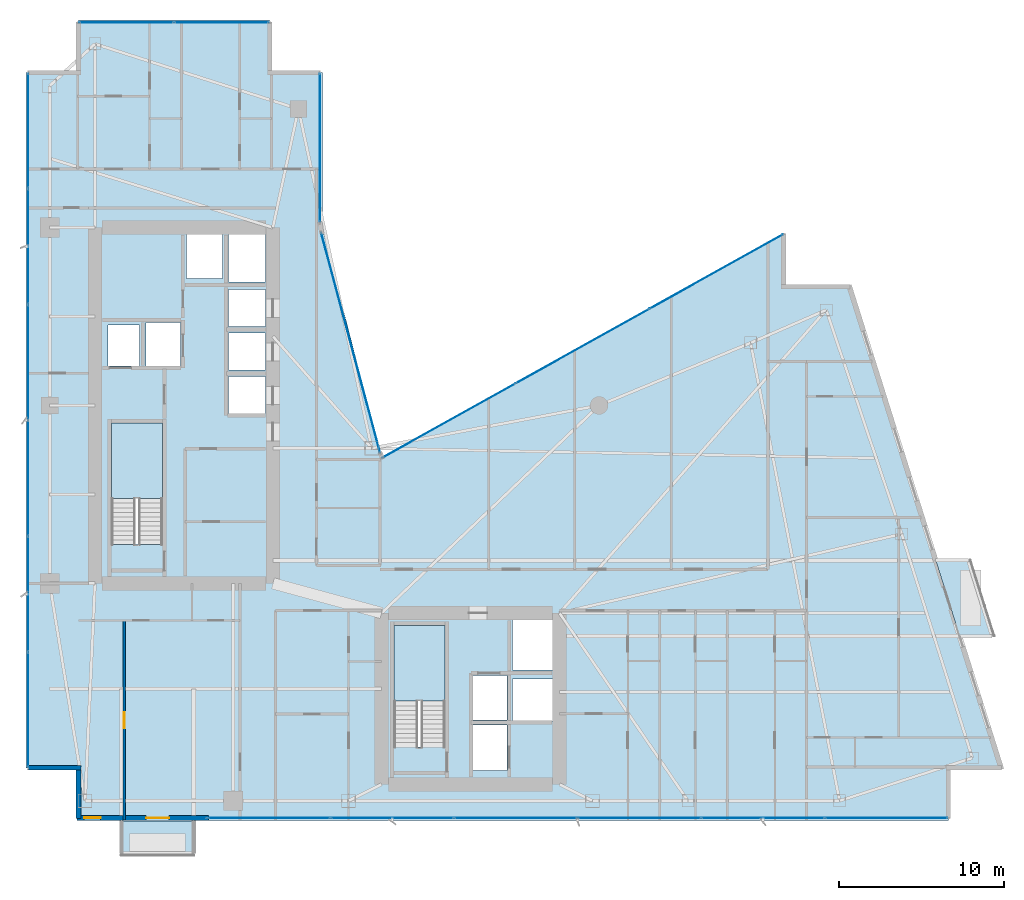
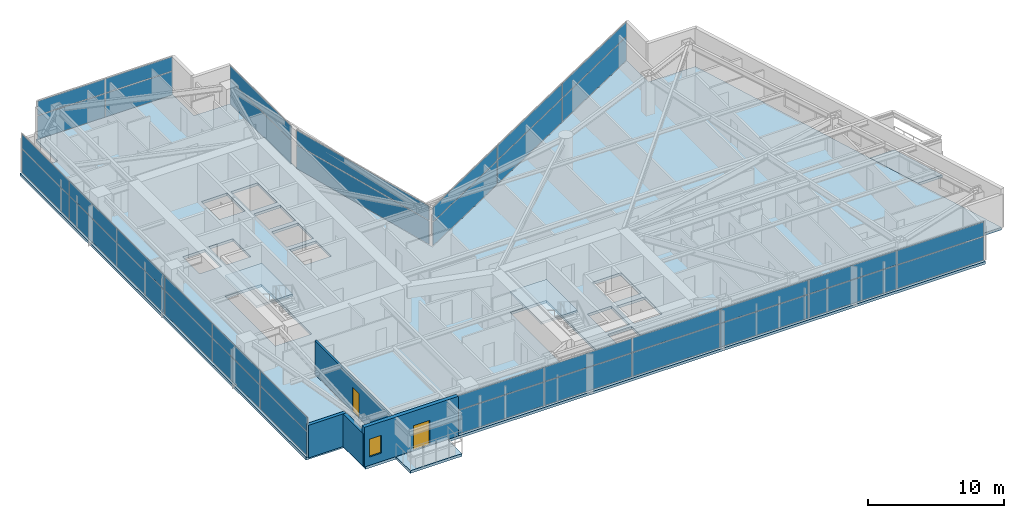
# One storey, part 21 of 29: 38 plates, 5 slabs, 4 walls, 2 doors, 1 window, 3 openings, 8 elements without a shape of their own.
"""IFC4 building model written with IfcOpenShell, lengths in metres."""

from ifc_helpers import new_model, si_unit, direction, frame, frame_2d, origin, origin_2d, place, context, subcontext, project, spatial, polyline, rectangle, outline, extrude, material, layer, layer_set, type_object, element, fill, aggregate, save


model = new_model("IFC4")

# Units and contexts
model_context = context("Model", 3, precision=1e-05, world=origin(), true_north=direction((0.0, 1.0)))
body_context = subcontext(model_context, "Body", "Model", "MODEL_VIEW")
ifc_project = project(units=[si_unit("LENGTHUNIT", "METRE"), si_unit("AREAUNIT", "SQUARE_METRE"), si_unit("VOLUMEUNIT", "CUBIC_METRE"), si_unit("PLANEANGLEUNIT", "RADIAN"), si_unit("MASSUNIT", "GRAM", prefix="KILO")], contexts=[model_context])

# Site, building, storey
site_placement = place(None, origin())
site = spatial("IfcSite", under=ifc_project, at=site_placement, CompositionType="ELEMENT")
building_placement = place(site_placement, origin())
building = spatial("IfcBuilding", under=site, at=building_placement, Name="Calvorn Quay Hotel", CompositionType="ELEMENT")
storey_placement = place(building_placement, frame((0.0, 0.0, 175.10009765625)))
storey = spatial("IfcBuildingStorey", under=building, at=storey_placement, Name="L43", CompositionType="ELEMENT", Elevation=175.10009765625)

# Curtain wall, plates
ifc_material_1 = material(Name="Pale Anodised Aluminium and Low-E Glass", Category="aluminium")
ifc_layer_1 = layer(ifc_material_1, 0.219970703125)
ifc_layer_set_1 = layer_set([ifc_layer_1], Name="CW-SYS-Z2")
curtain_wall_type = type_object("IfcCurtainWallType", Name="CW-SYS-Z2", PredefinedType="NOTDEFINED", material=ifc_layer_set_1)
curtain_wall_1_placement = place(storey_placement, origin())
curtain_wall_1 = element("IfcCurtainWall", 1, at=curtain_wall_1_placement, inside=storey, type_object=curtain_wall_type, Name="Tower West Curtain Wall (L43)", PredefinedType="NOTDEFINED")
ifc_material_2 = material(Name="Low-E Laminated Double Glazing", Category="glass")
ifc_layer_2 = layer(ifc_material_2, 0.028076171875)
ifc_layer_set_2 = layer_set([ifc_layer_2], Name="CW-SYS-Z2-PAN")
plate_type = type_object("IfcPlateType", Name="CW-SYS-Z2-PAN", PredefinedType="CURTAIN_PANEL", material=ifc_layer_set_2)
plate_1_placement = place(storey_placement, frame((0.14990234375, 9.131591796875, 0.06005859375), z_axis=(0.0, 0.0, 1.0), x_axis=(0.0, 1.0, 0.0)))
plate_1 = element("IfcPlate", 2, at=plate_1_placement, type_object=plate_type, Name="CW-L43-W panel 1.1", PredefinedType="CURTAIN_PANEL", context=body_context, shape_type="SweptSolid", body=[
    extrude(rectangle(XDim=6.943359375, YDim=0.028076171875, at=origin_2d()), origin(), (0.0, 0.0, 1.0), 2.110107421875),
])
plate_2_placement = place(storey_placement, frame((0.14990234375, 9.131591796875, 2.22998046875), z_axis=(0.0, 0.0, 1.0), x_axis=(0.0, 1.0, 0.0)))
plate_2 = element("IfcPlate", 3, at=plate_2_placement, type_object=plate_type, Name="CW-L43-W panel 1.2", PredefinedType="CURTAIN_PANEL", context=body_context, shape_type="SweptSolid", body=[
    extrude(rectangle(XDim=6.943359375, YDim=0.028076171875, at=origin_2d()), origin(), (0.0, 0.0, 1.0), 1.27001953125),
])
plate_3_placement = place(storey_placement, frame((0.14990234375, 16.14990234375, 0.06005859375), z_axis=(0.0, 0.0, 1.0), x_axis=(0.0, 1.0, 0.0)))
plate_3 = element("IfcPlate", 4, at=plate_3_placement, type_object=plate_type, Name="CW-L43-W panel 2.1", PredefinedType="CURTAIN_PANEL", context=body_context, shape_type="SweptSolid", body=[
    extrude(rectangle(XDim=6.973388671875, YDim=0.028076171875, at=origin_2d()), origin(), (0.0, 0.0, 1.0), 2.110107421875),
])
plate_4_placement = place(storey_placement, frame((0.14990234375, 16.14990234375, 2.22998046875), z_axis=(0.0, 0.0, 1.0), x_axis=(0.0, 1.0, 0.0)))
plate_4 = element("IfcPlate", 5, at=plate_4_placement, type_object=plate_type, Name="CW-L43-W panel 2.2", PredefinedType="CURTAIN_PANEL", context=body_context, shape_type="SweptSolid", body=[
    extrude(rectangle(XDim=6.973388671875, YDim=0.028076171875, at=origin_2d()), origin(), (0.0, 0.0, 1.0), 1.27001953125),
])
plate_5_placement = place(storey_placement, frame((0.14990234375, 23.183349609375, 0.06005859375), z_axis=(0.0, 0.0, 1.0), x_axis=(0.0, 1.0, 0.0)))
plate_5 = element("IfcPlate", 6, at=plate_5_placement, type_object=plate_type, Name="CW-L43-W panel 3.1", PredefinedType="CURTAIN_PANEL", context=body_context, shape_type="SweptSolid", body=[
    extrude(rectangle(XDim=6.973388671875, YDim=0.028076171875, at=origin_2d()), origin(), (0.0, 0.0, 1.0), 2.110107421875),
])
plate_6_placement = place(storey_placement, frame((0.14990234375, 23.183349609375, 2.22998046875), z_axis=(0.0, 0.0, 1.0), x_axis=(0.0, 1.0, 0.0)))
plate_6 = element("IfcPlate", 7, at=plate_6_placement, type_object=plate_type, Name="CW-L43-W panel 3.2", PredefinedType="CURTAIN_PANEL", context=body_context, shape_type="SweptSolid", body=[
    extrude(rectangle(XDim=6.973388671875, YDim=0.028076171875, at=origin_2d()), origin(), (0.0, 0.0, 1.0), 1.27001953125),
])
plate_7_placement = place(storey_placement, frame((0.14990234375, 30.216552734375, 0.06005859375), z_axis=(0.0, 0.0, 1.0), x_axis=(0.0, 1.0, 0.0)))
plate_7 = element("IfcPlate", 8, at=plate_7_placement, type_object=plate_type, Name="CW-L43-W panel 4.1", PredefinedType="CURTAIN_PANEL", context=body_context, shape_type="SweptSolid", body=[
    extrude(rectangle(XDim=6.973388671875, YDim=0.028076171875, at=origin_2d()), origin(), (0.0, 0.0, 1.0), 2.110107421875),
])
plate_8_placement = place(storey_placement, frame((0.14990234375, 30.216552734375, 2.22998046875), z_axis=(0.0, 0.0, 1.0), x_axis=(0.0, 1.0, 0.0)))
plate_8 = element("IfcPlate", 9, at=plate_8_placement, type_object=plate_type, Name="CW-L43-W panel 4.2", PredefinedType="CURTAIN_PANEL", context=body_context, shape_type="SweptSolid", body=[
    extrude(rectangle(XDim=6.973388671875, YDim=0.028076171875, at=origin_2d()), origin(), (0.0, 0.0, 1.0), 1.27001953125),
])
plate_9_placement = place(storey_placement, frame((0.14990234375, 37.25, 0.06005859375), z_axis=(0.0, 0.0, 1.0), x_axis=(0.0, 1.0, 0.0)))
plate_9 = element("IfcPlate", 10, at=plate_9_placement, type_object=plate_type, Name="CW-L43-W panel 5.1", PredefinedType="CURTAIN_PANEL", context=body_context, shape_type="SweptSolid", body=[
    extrude(rectangle(XDim=6.973388671875, YDim=0.028076171875, at=origin_2d()), origin(), (0.0, 0.0, 1.0), 2.110107421875),
])
plate_10_placement = place(storey_placement, frame((0.14990234375, 37.25, 2.22998046875), z_axis=(0.0, 0.0, 1.0), x_axis=(0.0, 1.0, 0.0)))
plate_10 = element("IfcPlate", 11, at=plate_10_placement, type_object=plate_type, Name="CW-L43-W panel 5.2", PredefinedType="CURTAIN_PANEL", context=body_context, shape_type="SweptSolid", body=[
    extrude(rectangle(XDim=6.973388671875, YDim=0.028076171875, at=origin_2d()), origin(), (0.0, 0.0, 1.0), 1.27001953125),
])
plate_11_placement = place(storey_placement, frame((0.14990234375, 44.268310546875, 0.06005859375), z_axis=(0.0, 0.0, 1.0), x_axis=(0.0, 1.0, 0.0)))
plate_11 = element("IfcPlate", 12, at=plate_11_placement, type_object=plate_type, Name="CW-L43-W panel 6.1", PredefinedType="CURTAIN_PANEL", context=body_context, shape_type="SweptSolid", body=[
    extrude(rectangle(XDim=6.943359375, YDim=0.028076171875, at=origin_2d()), origin(), (0.0, 0.0, 1.0), 2.110107421875),
])
plate_12_placement = place(storey_placement, frame((0.14990234375, 44.268310546875, 2.22998046875), z_axis=(0.0, 0.0, 1.0), x_axis=(0.0, 1.0, 0.0)))
plate_12 = element("IfcPlate", 13, at=plate_12_placement, type_object=plate_type, Name="CW-L43-W panel 6.2", PredefinedType="CURTAIN_PANEL", context=body_context, shape_type="SweptSolid", body=[
    extrude(rectangle(XDim=6.943359375, YDim=0.028076171875, at=origin_2d()), origin(), (0.0, 0.0, 1.0), 1.27001953125),
])
aggregate(curtain_wall_1, [plate_1, plate_2, plate_3, plate_4, plate_5, plate_6, plate_7, plate_8, plate_9, plate_10, plate_11, plate_12])

curtain_wall_2_placement = place(storey_placement, origin())
curtain_wall_2 = element("IfcCurtainWall", 14, at=curtain_wall_2_placement, inside=storey, type_object=curtain_wall_type, Name="Tower South Waterfront Curtain Wall (L43)", PredefinedType="NOTDEFINED")
plate_13_placement = place(storey_placement, frame((14.764892578125, 2.550048828125, 0.06005859375), z_axis=(0.0, 0.0, 1.0), x_axis=(1.0, 0.0, 0.0)))
plate_13 = element("IfcPlate", 15, at=plate_13_placement, type_object=plate_type, Name="CW-L43-S panel 1.1", PredefinedType="CURTAIN_PANEL", context=body_context, shape_type="SweptSolid", body=[
    extrude(rectangle(XDim=7.409912109375, YDim=0.028076171875, at=origin_2d()), origin(), (0.0, 0.0, 1.0), 2.110107421875),
])
plate_14_placement = place(storey_placement, frame((14.764892578125, 2.550048828125, 2.22998046875), z_axis=(0.0, 0.0, 1.0), x_axis=(1.0, 0.0, 0.0)))
plate_14 = element("IfcPlate", 16, at=plate_14_placement, type_object=plate_type, Name="CW-L43-S panel 1.2", PredefinedType="CURTAIN_PANEL", context=body_context, shape_type="SweptSolid", body=[
    extrude(rectangle(XDim=7.409912109375, YDim=0.028076171875, at=origin_2d()), origin(), (0.0, 0.0, 1.0), 1.27001953125),
])
plate_15_placement = place(storey_placement, frame((22.25, 2.550048828125, 0.06005859375), z_axis=(0.0, 0.0, 1.0), x_axis=(1.0, 0.0, 0.0)))
plate_15 = element("IfcPlate", 17, at=plate_15_placement, type_object=plate_type, Name="CW-L43-S panel 2.1", PredefinedType="CURTAIN_PANEL", context=body_context, shape_type="SweptSolid", body=[
    extrude(rectangle(XDim=7.43994140625, YDim=0.028076171875, at=origin_2d()), origin(), (0.0, 0.0, 1.0), 2.110107421875),
])
plate_16_placement = place(storey_placement, frame((22.25, 2.550048828125, 2.22998046875), z_axis=(0.0, 0.0, 1.0), x_axis=(1.0, 0.0, 0.0)))
plate_16 = element("IfcPlate", 18, at=plate_16_placement, type_object=plate_type, Name="CW-L43-S panel 2.2", PredefinedType="CURTAIN_PANEL", context=body_context, shape_type="SweptSolid", body=[
    extrude(rectangle(XDim=7.43994140625, YDim=0.028076171875, at=origin_2d()), origin(), (0.0, 0.0, 1.0), 1.27001953125),
])
plate_17_placement = place(storey_placement, frame((29.75, 2.550048828125, 0.06005859375), z_axis=(0.0, 0.0, 1.0), x_axis=(1.0, 0.0, 0.0)))
plate_17 = element("IfcPlate", 19, at=plate_17_placement, type_object=plate_type, Name="CW-L43-S panel 3.1", PredefinedType="CURTAIN_PANEL", context=body_context, shape_type="SweptSolid", body=[
    extrude(rectangle(XDim=7.43994140625, YDim=0.028076171875, at=origin_2d()), origin(), (0.0, 0.0, 1.0), 2.110107421875),
])
plate_18_placement = place(storey_placement, frame((29.75, 2.550048828125, 2.22998046875), z_axis=(0.0, 0.0, 1.0), x_axis=(1.0, 0.0, 0.0)))
plate_18 = element("IfcPlate", 20, at=plate_18_placement, type_object=plate_type, Name="CW-L43-S panel 3.2", PredefinedType="CURTAIN_PANEL", context=body_context, shape_type="SweptSolid", body=[
    extrude(rectangle(XDim=7.43994140625, YDim=0.028076171875, at=origin_2d()), origin(), (0.0, 0.0, 1.0), 1.27001953125),
])
plate_19_placement = place(storey_placement, frame((37.25, 2.550048828125, 0.06005859375), z_axis=(0.0, 0.0, 1.0), x_axis=(1.0, 0.0, 0.0)))
plate_19 = element("IfcPlate", 21, at=plate_19_placement, type_object=plate_type, Name="CW-L43-S panel 4.1", PredefinedType="CURTAIN_PANEL", context=body_context, shape_type="SweptSolid", body=[
    extrude(rectangle(XDim=7.43994140625, YDim=0.028076171875, at=origin_2d()), origin(), (0.0, 0.0, 1.0), 2.110107421875),
])
plate_20_placement = place(storey_placement, frame((37.25, 2.550048828125, 2.22998046875), z_axis=(0.0, 0.0, 1.0), x_axis=(1.0, 0.0, 0.0)))
plate_20 = element("IfcPlate", 22, at=plate_20_placement, type_object=plate_type, Name="CW-L43-S panel 4.2", PredefinedType="CURTAIN_PANEL", context=body_context, shape_type="SweptSolid", body=[
    extrude(rectangle(XDim=7.43994140625, YDim=0.028076171875, at=origin_2d()), origin(), (0.0, 0.0, 1.0), 1.27001953125),
])
plate_21_placement = place(storey_placement, frame((44.75, 2.550048828125, 0.06005859375), z_axis=(0.0, 0.0, 1.0), x_axis=(1.0, 0.0, 0.0)))
plate_21 = element("IfcPlate", 23, at=plate_21_placement, type_object=plate_type, Name="CW-L43-S panel 5.1", PredefinedType="CURTAIN_PANEL", context=body_context, shape_type="SweptSolid", body=[
    extrude(rectangle(XDim=7.43994140625, YDim=0.028076171875, at=origin_2d()), origin(), (0.0, 0.0, 1.0), 2.110107421875),
])
plate_22_placement = place(storey_placement, frame((44.75, 2.550048828125, 2.22998046875), z_axis=(0.0, 0.0, 1.0), x_axis=(1.0, 0.0, 0.0)))
plate_22 = element("IfcPlate", 24, at=plate_22_placement, type_object=plate_type, Name="CW-L43-S panel 5.2", PredefinedType="CURTAIN_PANEL", context=body_context, shape_type="SweptSolid", body=[
    extrude(rectangle(XDim=7.43994140625, YDim=0.028076171875, at=origin_2d()), origin(), (0.0, 0.0, 1.0), 1.27001953125),
])
plate_23_placement = place(storey_placement, frame((52.235107421875, 2.550048828125, 0.06005859375), z_axis=(0.0, 0.0, 1.0), x_axis=(1.0, 0.0, 0.0)))
plate_23 = element("IfcPlate", 25, at=plate_23_placement, type_object=plate_type, Name="CW-L43-S panel 6.1", PredefinedType="CURTAIN_PANEL", context=body_context, shape_type="SweptSolid", body=[
    extrude(rectangle(XDim=7.409912109375, YDim=0.028076171875, at=origin_2d()), origin(), (0.0, 0.0, 1.0), 2.110107421875),
])
plate_24_placement = place(storey_placement, frame((52.235107421875, 2.550048828125, 2.22998046875), z_axis=(0.0, 0.0, 1.0), x_axis=(1.0, 0.0, 0.0)))
plate_24 = element("IfcPlate", 26, at=plate_24_placement, type_object=plate_type, Name="CW-L43-S panel 6.2", PredefinedType="CURTAIN_PANEL", context=body_context, shape_type="SweptSolid", body=[
    extrude(rectangle(XDim=7.409912109375, YDim=0.028076171875, at=origin_2d()), origin(), (0.0, 0.0, 1.0), 1.27001953125),
])
aggregate(curtain_wall_2, [plate_13, plate_14, plate_15, plate_16, plate_17, plate_18, plate_19, plate_20, plate_21, plate_22, plate_23, plate_24])

curtain_wall_3_placement = place(storey_placement, origin())
curtain_wall_3 = element("IfcCurtainWall", 27, at=curtain_wall_3_placement, inside=storey, type_object=curtain_wall_type, Name="Inner Court Curtain Wall L43-NE1", PredefinedType="NOTDEFINED")
plate_25_placement = place(storey_placement, frame((41.920166015625, 35.72607421875, 0.06005859375), z_axis=(0.0, 0.0, 1.0), x_axis=(-0.873480989116, -0.486858256224, 0.0)))
plate_25 = element("IfcPlate", 28, at=plate_25_placement, type_object=plate_type, Name="CW-L43-NE1 panel 1.1", PredefinedType="CURTAIN_PANEL", context=body_context, shape_type="SweptSolid", body=[
    extrude(rectangle(XDim=9.221435546875, YDim=0.028076171875, at=origin_2d()), origin(), (0.0, 0.0, 1.0), 2.110107421875),
])
plate_26_placement = place(storey_placement, frame((41.920166015625, 35.72607421875, 2.22998046875), z_axis=(0.0, 0.0, 1.0), x_axis=(-0.873480989116, -0.486858256224, 0.0)))
plate_26 = element("IfcPlate", 29, at=plate_26_placement, type_object=plate_type, Name="CW-L43-NE1 panel 1.2", PredefinedType="CURTAIN_PANEL", context=body_context, shape_type="SweptSolid", body=[
    extrude(rectangle(XDim=9.221435546875, YDim=0.028076171875, at=origin_2d()), origin(), (0.0, 0.0, 1.0), 1.27001953125),
])
plate_27_placement = place(storey_placement, frame((33.800048828125, 31.199951171875, 0.06005859375), z_axis=(0.0, 0.0, 1.0), x_axis=(-0.873480989116, -0.486858256224, 0.0)))
plate_27 = element("IfcPlate", 30, at=plate_27_placement, type_object=plate_type, Name="CW-L43-NE1 panel 2.1", PredefinedType="CURTAIN_PANEL", context=body_context, shape_type="SweptSolid", body=[
    extrude(rectangle(XDim=9.25146484375, YDim=0.028076171875, at=origin_2d()), origin(), (0.0, 0.0, 1.0), 2.110107421875),
])
plate_28_placement = place(storey_placement, frame((33.800048828125, 31.199951171875, 2.22998046875), z_axis=(0.0, 0.0, 1.0), x_axis=(-0.873480989116, -0.486858256224, 0.0)))
plate_28 = element("IfcPlate", 31, at=plate_28_placement, type_object=plate_type, Name="CW-L43-NE1 panel 2.2", PredefinedType="CURTAIN_PANEL", context=body_context, shape_type="SweptSolid", body=[
    extrude(rectangle(XDim=9.25146484375, YDim=0.028076171875, at=origin_2d()), origin(), (0.0, 0.0, 1.0), 1.27001953125),
])
plate_29_placement = place(storey_placement, frame((25.6796875, 26.674072265625, 0.06005859375), z_axis=(0.0, 0.0, 1.0), x_axis=(-0.873480989116, -0.486858256224, 0.0)))
plate_29 = element("IfcPlate", 32, at=plate_29_placement, type_object=plate_type, Name="CW-L43-NE1 panel 3.1", PredefinedType="CURTAIN_PANEL", context=body_context, shape_type="SweptSolid", body=[
    extrude(rectangle(XDim=9.221435546875, YDim=0.028076171875, at=origin_2d()), origin(), (0.0, 0.0, 1.0), 2.110107421875),
])
plate_30_placement = place(storey_placement, frame((25.6796875, 26.674072265625, 2.22998046875), z_axis=(0.0, 0.0, 1.0), x_axis=(-0.873480989116, -0.486858256224, 0.0)))
plate_30 = element("IfcPlate", 33, at=plate_30_placement, type_object=plate_type, Name="CW-L43-NE1 panel 3.2", PredefinedType="CURTAIN_PANEL", context=body_context, shape_type="SweptSolid", body=[
    extrude(rectangle(XDim=9.221435546875, YDim=0.028076171875, at=origin_2d()), origin(), (0.0, 0.0, 1.0), 1.27001953125),
])
aggregate(curtain_wall_3, [plate_25, plate_26, plate_27, plate_28, plate_29, plate_30])

curtain_wall_4_placement = place(storey_placement, origin())
curtain_wall_4 = element("IfcCurtainWall", 34, at=curtain_wall_4_placement, inside=storey, type_object=curtain_wall_type, Name="Inner Court Curtain Wall L43-IC1", PredefinedType="NOTDEFINED")
plate_31_placement = place(storey_placement, frame((19.72509765625, 31.39990234375, 0.06005859375), z_axis=(0.0, 0.0, 1.0), x_axis=(-0.25877913024, 0.96593652056, 0.0)))
plate_31 = element("IfcPlate", 35, at=plate_31_placement, type_object=plate_type, Name="CW-L43-IC1 panel 1.1", PredefinedType="CURTAIN_PANEL", context=body_context, shape_type="SweptSolid", body=[
    extrude(rectangle(XDim=13.814697265625, YDim=0.028076171875, at=origin_2d()), origin(), (0.0, 0.0, 1.0), 2.110107421875),
])
plate_32_placement = place(storey_placement, frame((19.72509765625, 31.39990234375, 2.22998046875), z_axis=(0.0, 0.0, 1.0), x_axis=(-0.25877913024, 0.96593652056, 0.0)))
plate_32 = element("IfcPlate", 36, at=plate_32_placement, type_object=plate_type, Name="CW-L43-IC1 panel 1.2", PredefinedType="CURTAIN_PANEL", context=body_context, shape_type="SweptSolid", body=[
    extrude(rectangle(XDim=13.814697265625, YDim=0.028076171875, at=origin_2d()), origin(), (0.0, 0.0, 1.0), 1.27001953125),
])
aggregate(curtain_wall_4, [plate_31, plate_32])

curtain_wall_5_placement = place(storey_placement, origin())
curtain_wall_5 = element("IfcCurtainWall", 37, at=curtain_wall_5_placement, inside=storey, type_object=curtain_wall_type, Name="Inner Court Curtain Wall L43-IC2", PredefinedType="NOTDEFINED")
plate_33_placement = place(storey_placement, frame((17.85009765625, 43.239990234375, 0.06005859375), z_axis=(0.0, 0.0, 1.0), x_axis=(0.0, 1.0, 0.0)))
plate_33 = element("IfcPlate", 38, at=plate_33_placement, type_object=plate_type, Name="CW-L43-IC2 panel 1.1", PredefinedType="CURTAIN_PANEL", context=body_context, shape_type="SweptSolid", body=[
    extrude(rectangle(XDim=9.0, YDim=0.028076171875, at=origin_2d()), origin(), (0.0, 0.0, 1.0), 2.110107421875),
])
plate_34_placement = place(storey_placement, frame((17.85009765625, 43.239990234375, 2.22998046875), z_axis=(0.0, 0.0, 1.0), x_axis=(0.0, 1.0, 0.0)))
plate_34 = element("IfcPlate", 39, at=plate_34_placement, type_object=plate_type, Name="CW-L43-IC2 panel 1.2", PredefinedType="CURTAIN_PANEL", context=body_context, shape_type="SweptSolid", body=[
    extrude(rectangle(XDim=9.0, YDim=0.028076171875, at=origin_2d()), origin(), (0.0, 0.0, 1.0), 1.27001953125),
])
aggregate(curtain_wall_5, [plate_33, plate_34])

curtain_wall_6_placement = place(storey_placement, origin())
curtain_wall_6 = element("IfcCurtainWall", 40, at=curtain_wall_6_placement, inside=storey, type_object=curtain_wall_type, Name="Inner Court Curtain Wall L43-N1", PredefinedType="NOTDEFINED")
plate_35_placement = place(storey_placement, frame((11.885009765625, 50.85009765625, 0.06005859375), z_axis=(0.0, 0.0, 1.0), x_axis=(-1.0, 0.0, 0.0)))
plate_35 = element("IfcPlate", 41, at=plate_35_placement, type_object=plate_type, Name="CW-L43-N1 panel 1.1", PredefinedType="CURTAIN_PANEL", context=body_context, shape_type="SweptSolid", body=[
    extrude(rectangle(XDim=5.7099609375, YDim=0.028076171875, at=origin_2d()), origin(), (0.0, 0.0, 1.0), 2.110107421875),
])
plate_36_placement = place(storey_placement, frame((11.885009765625, 50.85009765625, 2.22998046875), z_axis=(0.0, 0.0, 1.0), x_axis=(-1.0, 0.0, 0.0)))
plate_36 = element("IfcPlate", 42, at=plate_36_placement, type_object=plate_type, Name="CW-L43-N1 panel 1.2", PredefinedType="CURTAIN_PANEL", context=body_context, shape_type="SweptSolid", body=[
    extrude(rectangle(XDim=5.7099609375, YDim=0.028076171875, at=origin_2d()), origin(), (0.0, 0.0, 1.0), 1.27001953125),
])
plate_37_placement = place(storey_placement, frame((6.114990234375, 50.85009765625, 0.06005859375), z_axis=(0.0, 0.0, 1.0), x_axis=(-1.0, 0.0, 0.0)))
plate_37 = element("IfcPlate", 43, at=plate_37_placement, type_object=plate_type, Name="CW-L43-N1 panel 2.1", PredefinedType="CURTAIN_PANEL", context=body_context, shape_type="SweptSolid", body=[
    extrude(rectangle(XDim=5.7099609375, YDim=0.028076171875, at=origin_2d()), origin(), (0.0, 0.0, 1.0), 2.110107421875),
])
plate_38_placement = place(storey_placement, frame((6.114990234375, 50.85009765625, 2.22998046875), z_axis=(0.0, 0.0, 1.0), x_axis=(-1.0, 0.0, 0.0)))
plate_38 = element("IfcPlate", 44, at=plate_38_placement, type_object=plate_type, Name="CW-L43-N1 panel 2.2", PredefinedType="CURTAIN_PANEL", context=body_context, shape_type="SweptSolid", body=[
    extrude(rectangle(XDim=5.7099609375, YDim=0.028076171875, at=origin_2d()), origin(), (0.0, 0.0, 1.0), 1.27001953125),
])
aggregate(curtain_wall_6, [plate_35, plate_36, plate_37, plate_38])

# Slabs
ifc_material_3 = material(Name="Concrete C40", Category="concrete")
ifc_layer_3 = layer(ifc_material_3, 0.239990234375)
ifc_layer_set_3 = layer_set([ifc_layer_3], Name="SLB-BALCONY-220")
slab_type_1 = type_object("IfcSlabType", Name="SLB-BALCONY-220", PredefinedType="FLOOR", material=ifc_layer_set_3)
slab_1_placement = place(storey_placement, frame((0.0, 0.0, -0.239990234375)))
element("IfcSlab", 45, at=slab_1_placement, inside=storey, type_object=slab_type_1, Name="Tree Balcony Slab L43-BALC-E", PredefinedType="FLOOR", context=body_context, shape_type="SweptSolid", body=[
    extrude(outline(polyline([(56.68896484375, 13.60009765625), (58.7890625, 13.60009765625), (57.340087890625, 18.199951171875), (55.239990234375, 18.199951171875), (56.68896484375, 13.60009765625)])), origin(), (0.0, 0.0, 1.0), 0.239990234375),
])
slab_2_placement = place(storey_placement, frame((0.0, 0.0, -0.239990234375)))
element("IfcSlab", 46, at=slab_2_placement, inside=storey, type_object=slab_type_1, Name="Tree Balcony Slab L43-BALC-S", PredefinedType="FLOOR", context=body_context, shape_type="SweptSolid", body=[
    extrude(outline(polyline([(5.800048828125, 0.2900390625), (10.199951171875, 0.2900390625), (10.199951171875, 2.389892578125), (5.800048828125, 2.389892578125), (5.800048828125, 0.2900390625)])), origin(), (0.0, 0.0, 1.0), 0.239990234375),
])

# Stair, slab
ifc_material_4 = material(Name="Concrete C40", Category="concrete")
stair_type = type_object("IfcStairType", Name="STR-CORE-DOGLEG", PredefinedType="HALF_TURN_STAIR", material=ifc_material_4)
stair_1_placement = place(storey_placement, origin())
stair_1 = element("IfcStair", 47, at=stair_1_placement, inside=storey, type_object=stair_type, Name="L43 ST-W", PredefinedType="HALF_TURN_STAIR")
ifc_material_5 = material(Name="Concrete C40", Category="concrete")
ifc_layer_4 = layer(ifc_material_5, 0.199951171875)
ifc_layer_set_4 = layer_set([ifc_layer_4], Name="SLB-STAIR-LANDING-200")
slab_type_2 = type_object("IfcSlabType", Name="SLB-STAIR-LANDING-200", PredefinedType="LANDING", material=ifc_layer_set_4)
slab_3_placement = place(storey_placement, frame((0.0, 0.0, 1.699951171875)))
slab_3 = element("IfcSlab", 48, at=slab_3_placement, type_object=slab_type_2, Name="ST-W landing 1", PredefinedType="LANDING", context=body_context, shape_type="SweptSolid", body=[
    extrude(outline(polyline([(8.300048828125, 21.949951171875), (8.300048828125, 26.550048828125), (5.199951171875, 26.550048828125), (5.199951171875, 21.949951171875), (8.300048828125, 21.949951171875)])), origin(), (0.0, 0.0, 1.0), 0.199951171875),
])
aggregate(stair_1, [slab_3])

stair_2_placement = place(storey_placement, origin())
stair_2 = element("IfcStair", 49, at=stair_2_placement, inside=storey, type_object=stair_type, Name="L43 ST-E", PredefinedType="HALF_TURN_STAIR")
slab_4_placement = place(storey_placement, frame((0.0, 0.0, 1.699951171875)))
slab_4 = element("IfcSlab", 50, at=slab_4_placement, type_object=slab_type_2, Name="ST-E landing 1", PredefinedType="LANDING", context=body_context, shape_type="SweptSolid", body=[
    extrude(outline(polyline([(25.449951171875, 9.64990234375), (25.449951171875, 14.25), (22.35009765625, 14.25), (22.35009765625, 9.64990234375), (25.449951171875, 9.64990234375)])), origin(), (0.0, 0.0, 1.0), 0.199951171875),
])
aggregate(stair_2, [slab_4])

# Slab
ifc_material_6 = material(Name="Concrete C40", Category="concrete")
ifc_layer_5 = layer(ifc_material_6, 0.239990234375)
ifc_layer_set_5 = layer_set([ifc_layer_5], Name="SLB-TOWER-240")
slab_type_3 = type_object("IfcSlabType", Name="SLB-TOWER-240", PredefinedType="FLOOR", material=ifc_layer_set_5)
slab_5_placement = place(storey_placement, frame((0.0, 0.0, -0.239990234375)))
element("IfcSlab", 51, at=slab_5_placement, inside=storey, type_object=slab_type_3, Name="L43 Structural Floor Slab", PredefinedType="FLOOR", context=body_context, shape_type="SweptSolid", body=[
    extrude(outline(polyline([(0.0, 5.60009765625), (3.199951171875, 5.60009765625), (3.199951171875, 2.39990234375), (56.0, 2.39990234375), (56.0, 5.60009765625), (59.199951171875, 5.60009765625), (50.0, 34.800048828125), (46.0, 34.800048828125), (46.0, 38.0), (21.60009765625, 24.39990234375), (18.0, 38.39990234375), (18.0, 47.800048828125), (14.800048828125, 47.800048828125), (14.800048828125, 51.0), (3.199951171875, 51.0), (3.199951171875, 47.800048828125), (0.0, 47.800048828125), (0.0, 5.60009765625)]), holes=[polyline([(5.199951171875, 19.156005859375), (8.300048828125, 19.156005859375), (8.300048828125, 26.550048828125), (5.199951171875, 26.550048828125), (5.199951171875, 19.156005859375)]), polyline([(22.35009765625, 6.85595703125), (25.449951171875, 6.85595703125), (25.449951171875, 14.25), (22.35009765625, 14.25), (22.35009765625, 6.85595703125)]), polyline([(5.0, 30.0), (6.89990234375, 30.0), (6.89990234375, 32.5), (5.0, 32.5), (5.0, 30.0)]), polyline([(7.300048828125, 30.0), (9.39990234375, 30.0), (9.39990234375, 32.64990234375), (7.300048828125, 32.64990234375), (7.300048828125, 30.0)]), polyline([(27.159912109375, 8.5), (29.2099609375, 8.5), (29.2099609375, 11.199951171875), (27.159912109375, 11.199951171875), (27.159912109375, 8.5)]), polyline([(27.159912109375, 5.449951171875), (29.2099609375, 5.449951171875), (29.2099609375, 8.199951171875), (27.159912109375, 8.199951171875), (27.159912109375, 5.449951171875)]), polyline([(12.300048828125, 27.10009765625), (14.56494140625, 27.10009765625), (14.56494140625, 29.35009765625), (12.300048828125, 29.35009765625), (12.300048828125, 27.10009765625)]), polyline([(12.300048828125, 29.75), (14.56494140625, 29.75), (14.56494140625, 32.0), (12.300048828125, 32.0), (12.300048828125, 29.75)]), polyline([(12.300048828125, 32.39990234375), (14.56494140625, 32.39990234375), (14.56494140625, 34.64990234375), (12.300048828125, 34.64990234375), (12.300048828125, 32.39990234375)]), polyline([(12.300048828125, 35.10009765625), (14.56494140625, 35.10009765625), (14.56494140625, 37.965087890625), (12.300048828125, 37.965087890625), (12.300048828125, 35.10009765625)]), polyline([(9.75, 35.300048828125), (11.949951171875, 35.300048828125), (11.949951171875, 37.965087890625), (9.75, 37.965087890625), (9.75, 35.300048828125)]), polyline([(29.550048828125, 11.550048828125), (31.965087890625, 11.550048828125), (31.965087890625, 14.56494140625), (29.550048828125, 14.56494140625), (29.550048828125, 11.550048828125)]), polyline([(29.550048828125, 8.449951171875), (31.965087890625, 8.449951171875), (31.965087890625, 11.0), (29.550048828125, 11.0), (29.550048828125, 8.449951171875)])]), origin(), (0.0, 0.0, 1.0), 0.239990234375),
])

# Wall, openings, door, window
ifc_material_7 = material(Name="Concrete C40", Category="concrete")
ifc_layer_6 = layer(ifc_material_7, 0.320068359375)
ifc_layer_set_6 = layer_set([ifc_layer_6], Name="WL-EXT-SPANDREL-320")
wall_type_1 = type_object("IfcWallType", Name="WL-EXT-SPANDREL-320", PredefinedType="SOLIDWALL", material=ifc_layer_set_6)
wall_1_placement = place(storey_placement, frame((3.10009765625, 2.56005859375, 0.0), z_axis=(0.0, 0.0, 1.0), x_axis=(1.0, 0.0, 0.0)))
wall_1 = element("IfcWall", 52, at=wall_1_placement, inside=storey, type_object=wall_type_1, Name="South Balcony Exterior Wall (L43)", PredefinedType="SOLIDWALL", context=body_context, shape_type="SweptSolid", body=[
    extrude(rectangle(XDim=8.0, YDim=0.320068359375, at=frame_2d((4.0, 0.0))), origin(), (0.0, 0.0, 1.0), 3.559814453125),
])
opening_1_placement = place(wall_1_placement, frame((0.449951171875, 0.0, 0.75)))
opening_1 = element("IfcOpeningElement", 53, at=opening_1_placement, cuts=wall_1, Name="Opening WSB-L43-1", PredefinedType="OPENING", context=body_context, shape_type="SweptSolid", body=[
    extrude(rectangle(XDim=1.0, YDim=1.60009765625, at=frame_2d((0.5, 0.800048828125))), frame((0.0, 0.169921875, 0.0), z_axis=(0.0, -1.0, 0.0), x_axis=(1.0, 0.0, 0.0)), (0.0, 0.0, 1.0), 0.340087890625),
])
opening_2_placement = place(wall_1_placement, frame((4.199951171875, 0.0, 0.0)))
opening_2 = element("IfcOpeningElement", 54, at=opening_2_placement, cuts=wall_1, Name="Opening DB-L43-2", PredefinedType="OPENING", context=body_context, shape_type="SweptSolid", body=[
    extrude(rectangle(XDim=1.39990234375, YDim=2.25, at=frame_2d((0.699951171875, 1.125))), frame((0.0, 0.169921875, 0.0), z_axis=(0.0, -1.0, 0.0), x_axis=(1.0, 0.0, 0.0)), (0.0, 0.0, 1.0), 0.340087890625),
])
ifc_material_8 = material(Name="Typhoon-Rated Low-E Aluminium Terrace Door", Category="aluminium")
door_type_1 = type_object("IfcDoorType", Name="DR-BALCONY-GLZ-1400", OperationType="NOTDEFINED", PredefinedType="DOOR", material=ifc_material_8)
door_1_placement = place(opening_2_placement, origin())
door_1 = element("IfcDoor", 55, at=door_1_placement, inside=storey, type_object=door_type_1, Name="Tree Balcony Terrace Door L43-BALC-S", OperationType="SINGLE_SWING_LEFT", OverallHeight=2.25, OverallWidth=1.39990234375, PredefinedType="DOOR", context=body_context, shape_type="SweptSolid", body=[
    extrude(rectangle(XDim=1.39990234375, YDim=2.25, at=frame_2d((0.699951171875, 1.125))), frame((0.0, 0.02490234375, 0.0), z_axis=(0.0, -1.0, 0.0), x_axis=(1.0, 0.0, 0.0)), (0.0, 0.0, 1.0), 0.050048828125),
])
fill(opening_2, door_1)
ifc_material_9 = material(Name="Self-Closing Class B Side Fire Window")
window_type = type_object("IfcWindowType", Name="WIN-REFUGE-NARROW-1000x1600", PartitioningType="SINGLE_PANEL", PredefinedType="WINDOW", material=ifc_material_9)
window_placement = place(opening_1_placement, origin())
window = element("IfcWindow", 56, at=window_placement, inside=storey, type_object=window_type, Name="South Waterfront Side Window (L43)", OverallHeight=1.60009765625, OverallWidth=1.0, PartitioningType="SINGLE_PANEL", PredefinedType="WINDOW", context=body_context, shape_type="SweptSolid", body=[
    extrude(rectangle(XDim=1.0, YDim=1.60009765625, at=frame_2d((0.5, 0.800048828125))), frame((0.0, 0.030029296875, 0.0), z_axis=(0.0, -1.0, 0.0), x_axis=(1.0, 0.0, 0.0)), (0.0, 0.0, 1.0), 0.06005859375),
])
fill(opening_1, window)

# Walls
wall_2_placement = place(storey_placement, frame((0.1201171875, 5.60009765625, 0.0), z_axis=(0.0, 0.0, 1.0), x_axis=(1.0, 0.0, 0.0)))
element("IfcWall", 57, at=wall_2_placement, inside=storey, type_object=wall_type_1, Name="Notched Corner Spandrel L43-SW1", PredefinedType="SOLIDWALL", context=body_context, shape_type="SweptSolid", body=[
    extrude(rectangle(XDim=3.219970703125, YDim=0.280029296875, at=frame_2d((1.60986328125, 0.0))), origin(), (0.0, 0.0, 1.0), 2.93994140625),
])
wall_3_placement = place(storey_placement, frame((3.199951171875, 5.4599609375, 0.0), z_axis=(0.0, 0.0, 1.0), x_axis=(0.0, -1.0, 0.0)))
element("IfcWall", 58, at=wall_3_placement, inside=storey, type_object=wall_type_1, Name="Notched Corner Spandrel L43-SW2", PredefinedType="SOLIDWALL", context=body_context, shape_type="SweptSolid", body=[
    extrude(rectangle(XDim=2.93994140625, YDim=0.280029296875, at=frame_2d((1.469970703125, 0.0))), origin(), (0.0, 0.0, 1.0), 2.93994140625),
])

# Wall, opening, door
ifc_material_10 = material(Name="Double-Stud Acoustic Gypsum Partition")
ifc_layer_7 = layer(ifc_material_10, 0.159912109375)
ifc_layer_set_7 = layer_set([ifc_layer_7], Name="WL-INTERSUITE-160")
wall_type_2 = type_object("IfcWallType", Name="WL-INTERSUITE-160", PredefinedType="PARTITIONING", material=ifc_layer_set_7)
wall_4_placement = place(storey_placement, frame((5.97998046875, 2.43994140625, 0.0), z_axis=(0.0, 0.0, 1.0), x_axis=(0.0, 1.0, 0.0)))
wall_4 = element("IfcWall", 59, at=wall_4_placement, inside=storey, type_object=wall_type_2, Name="Partition Wall L43-WL-U01-MSP", PredefinedType="PARTITIONING", context=body_context, shape_type="SweptSolid", body=[
    extrude(rectangle(XDim=12.110107421875, YDim=0.159912109375, at=frame_2d((6.05517578125, 0.0))), origin(), (0.0, 0.0, 1.0), 3.039794921875),
])
opening_3_placement = place(wall_4_placement, frame((5.580078125, 0.0, 0.0)))
opening_3 = element("IfcOpeningElement", 60, at=opening_3_placement, cuts=wall_4, Name="Opening D-L43-M01", PredefinedType="OPENING", context=body_context, shape_type="SweptSolid", body=[
    extrude(rectangle(XDim=0.9599609375, YDim=2.199951171875, at=frame_2d((0.47998046875, 1.10009765625))), frame((0.0, 0.08984375, 0.0), z_axis=(0.0, -1.0, 0.0), x_axis=(1.0, 0.0, 0.0)), (0.0, 0.0, 1.0), 0.179931640625),
])
ifc_material_11 = material(Name="Solid Timber Internal Suite Door", Category="wood")
door_type_2 = type_object("IfcDoorType", Name="DR-SUITE-INT-960", OperationType="NOTDEFINED", PredefinedType="DOOR", material=ifc_material_11)
door_2_placement = place(opening_3_placement, origin())
door_2 = element("IfcDoor", 61, at=door_2_placement, inside=storey, type_object=door_type_2, Name="Suite Bedroom Door 01", OperationType="SINGLE_SWING_LEFT", OverallHeight=2.199951171875, OverallWidth=0.9599609375, PredefinedType="DOOR", context=body_context, shape_type="SweptSolid", body=[
    extrude(rectangle(XDim=0.9599609375, YDim=2.199951171875, at=frame_2d((0.47998046875, 1.10009765625))), frame((0.0, 0.02490234375, 0.0), z_axis=(0.0, -1.0, 0.0), x_axis=(1.0, 0.0, 0.0)), (0.0, 0.0, 1.0), 0.050048828125),
])
fill(opening_3, door_2)

save(model, "model.ifc")
